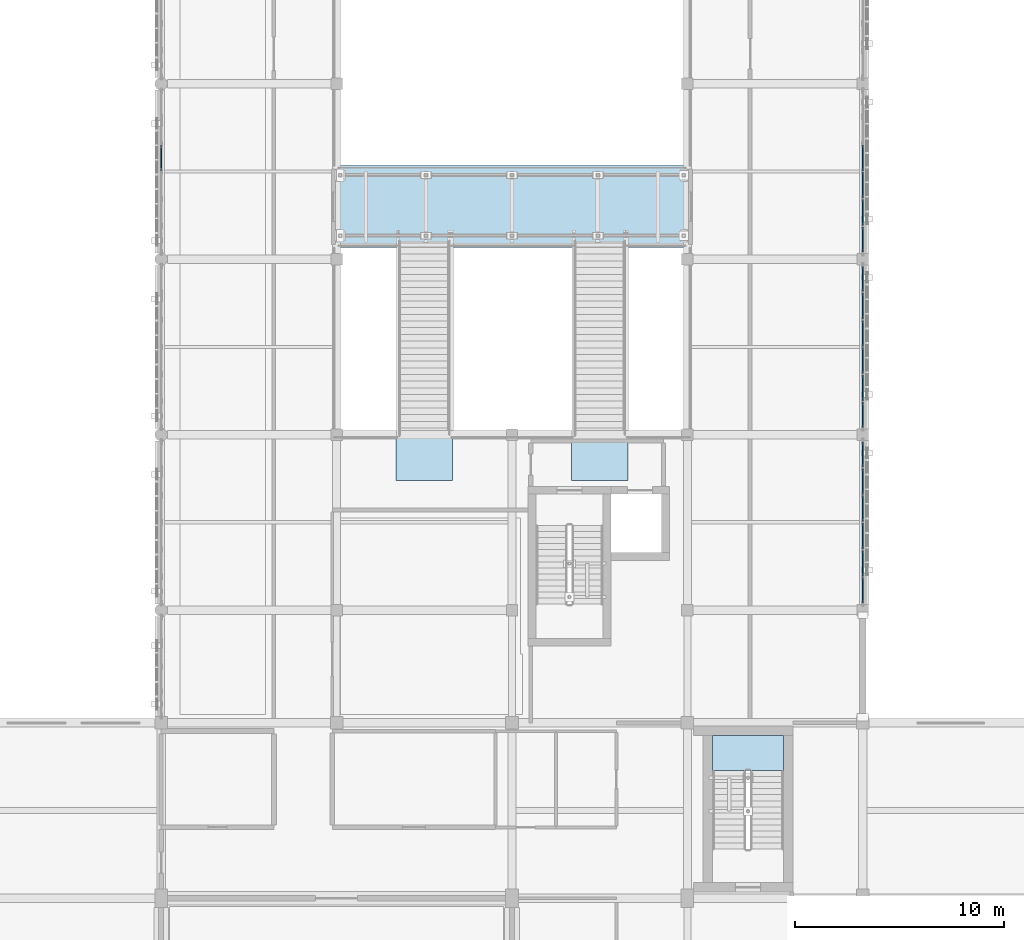
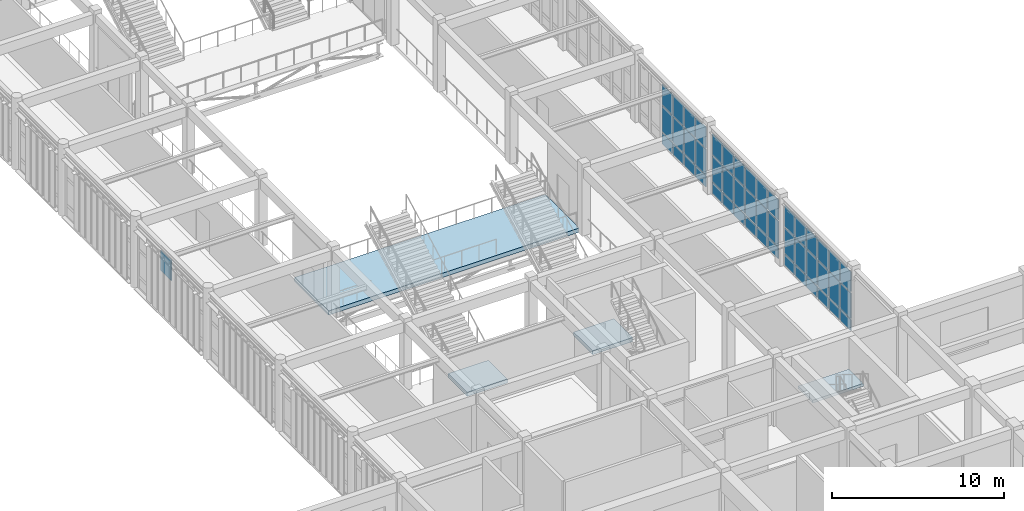
# One storey, part 56 of 93: 49 plates, 4 slabs, 5 elements without a shape of their own.
"""IFC4 building model written with IfcOpenShell, lengths in metres."""

from ifc_helpers import new_model, si_unit, direction, frame, origin, origin_2d, place, context, subcontext, project, spatial, polyline, rectangle, outline, extrude, material, layer, layer_set, type_object, element, aggregate, save


model = new_model("IFC4")

# Units and contexts
model_context = context("Model", 3, precision=1e-05, world=origin(), true_north=direction((0.0, 1.0)))
body_context = subcontext(model_context, "Body", "Model", "MODEL_VIEW")
ifc_project = project(units=[si_unit("LENGTHUNIT", "METRE"), si_unit("AREAUNIT", "SQUARE_METRE"), si_unit("VOLUMEUNIT", "CUBIC_METRE"), si_unit("PLANEANGLEUNIT", "RADIAN"), si_unit("MASSUNIT", "GRAM", prefix="KILO")], contexts=[model_context])

# Site, building, storey
site_placement = place(None, origin())
site = spatial("IfcSite", under=ifc_project, at=site_placement, CompositionType="ELEMENT")
building_placement = place(site_placement, origin())
building = spatial("IfcBuilding", under=site, at=building_placement, Name="Krzemoval Escarpment Law Courts", CompositionType="ELEMENT")
storey_placement = place(building_placement, frame((0.0, 0.0, 10.199951171875)))
storey = spatial("IfcBuildingStorey", under=building, at=storey_placement, Name="L02", CompositionType="ELEMENT", Elevation=10.199951171875)

# Curtain wall, plate
ifc_material_1 = material(Name="Aluminium 6063-T6", Category="aluminium")
ifc_layer_1 = layer(ifc_material_1, 0.280029296875)
ifc_layer_set_1 = layer_set([ifc_layer_1], Name="Aluminium 6063-T6")
curtain_wall_type = type_object("IfcCurtainWallType", Name="CW-HALL-5100", PredefinedType="USERDEFINED", material=ifc_layer_set_1)
curtain_wall_1_placement = place(storey_placement, origin())
curtain_wall_1 = element("IfcCurtainWall", 1, at=curtain_wall_1_placement, inside=storey, type_object=curtain_wall_type, Name="Unitised Curtain Wall FCW-L02-067", ObjectType="UNITISED_CURTAIN_WALL", PredefinedType="USERDEFINED")
ifc_material_2 = material(Name="Triple Glazing IGU", Category="glass")
ifc_layer_2 = layer(ifc_material_2, 0.053955078125)
ifc_layer_set_2 = layer_set([ifc_layer_2], Name="Triple Glazing IGU")
plate_type = type_object("IfcPlateType", Name="CWP-GLZ-54", PredefinedType="CURTAIN_PANEL", material=ifc_layer_set_2)
plate_1_placement = place(storey_placement, frame((8.39990234375, 62.449951171875, 2.842529296875), z_axis=(0.0, 0.0, 1.0), x_axis=(0.0, 1.0, 0.0)))
plate_1 = element("IfcPlate", 2, at=plate_1_placement, type_object=plate_type, Name="FCW-L02-067 panel 4.3", PredefinedType="CURTAIN_PANEL", context=body_context, shape_type="SweptSolid", body=[
    extrude(rectangle(XDim=1.215087890625, YDim=0.053955078125, at=origin_2d()), origin(), (0.0, 0.0, 1.0), 1.4423828125),
])
aggregate(curtain_wall_1, [plate_1])

# Curtain wall, plates
curtain_wall_2_placement = place(storey_placement, origin())
curtain_wall_2 = element("IfcCurtainWall", 3, at=curtain_wall_2_placement, inside=storey, type_object=curtain_wall_type, Name="Unitised Curtain Wall FCW-L02-078", ObjectType="UNITISED_CURTAIN_WALL", PredefinedType="USERDEFINED")
plate_2_placement = place(storey_placement, frame((42.0, 62.4541015625, 0.0849609375), z_axis=(0.0, 0.0, 1.0), x_axis=(0.0, -1.0, 0.0)))
plate_2 = element("IfcPlate", 4, at=plate_2_placement, type_object=plate_type, Name="FCW-L02-078 panel 3.1", PredefinedType="CURTAIN_PANEL", context=body_context, shape_type="SweptSolid", body=[
    extrude(rectangle(XDim=1.223388671875, YDim=0.053955078125, at=origin_2d()), origin(), (0.0, 0.0, 1.0), 0.7724609375),
])
plate_3_placement = place(storey_placement, frame((42.0, 62.4541015625, 0.942626953125), z_axis=(0.0, 0.0, 1.0), x_axis=(0.0, -1.0, 0.0)))
plate_3 = element("IfcPlate", 5, at=plate_3_placement, type_object=plate_type, Name="FCW-L02-078 panel 3.2", PredefinedType="CURTAIN_PANEL", context=body_context, shape_type="SweptSolid", body=[
    extrude(rectangle(XDim=1.223388671875, YDim=0.053955078125, at=origin_2d()), origin(), (0.0, 0.0, 1.0), 1.81494140625),
])
plate_4_placement = place(storey_placement, frame((42.0, 62.4541015625, 2.842529296875), z_axis=(0.0, 0.0, 1.0), x_axis=(0.0, -1.0, 0.0)))
plate_4 = element("IfcPlate", 6, at=plate_4_placement, type_object=plate_type, Name="FCW-L02-078 panel 3.3", PredefinedType="CURTAIN_PANEL", context=body_context, shape_type="SweptSolid", body=[
    extrude(rectangle(XDim=1.223388671875, YDim=0.053955078125, at=origin_2d()), origin(), (0.0, 0.0, 1.0), 1.4423828125),
])
plate_5_placement = place(storey_placement, frame((42.0, 61.145751953125, 0.0849609375), z_axis=(0.0, 0.0, 1.0), x_axis=(0.0, -1.0, 0.0)))
plate_5 = element("IfcPlate", 7, at=plate_5_placement, type_object=plate_type, Name="FCW-L02-078 panel 4.1", PredefinedType="CURTAIN_PANEL", context=body_context, shape_type="SweptSolid", body=[
    extrude(rectangle(XDim=1.223388671875, YDim=0.053955078125, at=origin_2d()), origin(), (0.0, 0.0, 1.0), 0.7724609375),
])
plate_6_placement = place(storey_placement, frame((42.0, 61.145751953125, 0.942626953125), z_axis=(0.0, 0.0, 1.0), x_axis=(0.0, -1.0, 0.0)))
plate_6 = element("IfcPlate", 8, at=plate_6_placement, type_object=plate_type, Name="FCW-L02-078 panel 4.2", PredefinedType="CURTAIN_PANEL", context=body_context, shape_type="SweptSolid", body=[
    extrude(rectangle(XDim=1.223388671875, YDim=0.053955078125, at=origin_2d()), origin(), (0.0, 0.0, 1.0), 1.81494140625),
])
plate_7_placement = place(storey_placement, frame((42.0, 61.145751953125, 2.842529296875), z_axis=(0.0, 0.0, 1.0), x_axis=(0.0, -1.0, 0.0)))
plate_7 = element("IfcPlate", 9, at=plate_7_placement, type_object=plate_type, Name="FCW-L02-078 panel 4.3", PredefinedType="CURTAIN_PANEL", context=body_context, shape_type="SweptSolid", body=[
    extrude(rectangle(XDim=1.223388671875, YDim=0.053955078125, at=origin_2d()), origin(), (0.0, 0.0, 1.0), 1.4423828125),
])
plate_8_placement = place(storey_placement, frame((42.0, 59.83740234375, 0.0849609375), z_axis=(0.0, 0.0, 1.0), x_axis=(0.0, -1.0, 0.0)))
plate_8 = element("IfcPlate", 10, at=plate_8_placement, type_object=plate_type, Name="FCW-L02-078 panel 5.1", PredefinedType="CURTAIN_PANEL", context=body_context, shape_type="SweptSolid", body=[
    extrude(rectangle(XDim=1.223388671875, YDim=0.053955078125, at=origin_2d()), origin(), (0.0, 0.0, 1.0), 0.7724609375),
])
plate_9_placement = place(storey_placement, frame((42.0, 59.83740234375, 0.942626953125), z_axis=(0.0, 0.0, 1.0), x_axis=(0.0, -1.0, 0.0)))
plate_9 = element("IfcPlate", 11, at=plate_9_placement, type_object=plate_type, Name="FCW-L02-078 panel 5.2", PredefinedType="CURTAIN_PANEL", context=body_context, shape_type="SweptSolid", body=[
    extrude(rectangle(XDim=1.223388671875, YDim=0.053955078125, at=origin_2d()), origin(), (0.0, 0.0, 1.0), 1.81494140625),
])
plate_10_placement = place(storey_placement, frame((42.0, 59.83740234375, 2.842529296875), z_axis=(0.0, 0.0, 1.0), x_axis=(0.0, -1.0, 0.0)))
plate_10 = element("IfcPlate", 12, at=plate_10_placement, type_object=plate_type, Name="FCW-L02-078 panel 5.3", PredefinedType="CURTAIN_PANEL", context=body_context, shape_type="SweptSolid", body=[
    extrude(rectangle(XDim=1.223388671875, YDim=0.053955078125, at=origin_2d()), origin(), (0.0, 0.0, 1.0), 1.4423828125),
])
plate_11_placement = place(storey_placement, frame((42.0, 58.550537109375, 0.0849609375), z_axis=(0.0, 0.0, 1.0), x_axis=(0.0, -1.0, 0.0)))
plate_11 = element("IfcPlate", 13, at=plate_11_placement, type_object=plate_type, Name="FCW-L02-078 panel 6.1", PredefinedType="CURTAIN_PANEL", context=body_context, shape_type="SweptSolid", body=[
    extrude(rectangle(XDim=1.180908203125, YDim=0.053955078125, at=origin_2d()), origin(), (0.0, 0.0, 1.0), 0.7724609375),
])
plate_12_placement = place(storey_placement, frame((42.0, 58.550537109375, 0.942626953125), z_axis=(0.0, 0.0, 1.0), x_axis=(0.0, -1.0, 0.0)))
plate_12 = element("IfcPlate", 14, at=plate_12_placement, type_object=plate_type, Name="FCW-L02-078 panel 6.2", PredefinedType="CURTAIN_PANEL", context=body_context, shape_type="SweptSolid", body=[
    extrude(rectangle(XDim=1.180908203125, YDim=0.053955078125, at=origin_2d()), origin(), (0.0, 0.0, 1.0), 1.81494140625),
])
plate_13_placement = place(storey_placement, frame((42.0, 58.550537109375, 2.842529296875), z_axis=(0.0, 0.0, 1.0), x_axis=(0.0, -1.0, 0.0)))
plate_13 = element("IfcPlate", 15, at=plate_13_placement, type_object=plate_type, Name="FCW-L02-078 panel 6.3", PredefinedType="CURTAIN_PANEL", context=body_context, shape_type="SweptSolid", body=[
    extrude(rectangle(XDim=1.180908203125, YDim=0.053955078125, at=origin_2d()), origin(), (0.0, 0.0, 1.0), 1.4423828125),
])
aggregate(curtain_wall_2, [plate_2, plate_3, plate_4, plate_5, plate_6, plate_7, plate_8, plate_9, plate_10, plate_11, plate_12, plate_13])

curtain_wall_3_placement = place(storey_placement, origin())
curtain_wall_3 = element("IfcCurtainWall", 16, at=curtain_wall_3_placement, inside=storey, type_object=curtain_wall_type, Name="Unitised Curtain Wall FCW-L02-079", ObjectType="UNITISED_CURTAIN_WALL", PredefinedType="USERDEFINED")
plate_14_placement = place(storey_placement, frame((42.0, 56.649658203125, 0.0849609375), z_axis=(0.0, 0.0, 1.0), x_axis=(0.0, -1.0, 0.0)))
plate_14 = element("IfcPlate", 17, at=plate_14_placement, type_object=plate_type, Name="FCW-L02-079 panel 1.1", PredefinedType="CURTAIN_PANEL", context=body_context, shape_type="SweptSolid", body=[
    extrude(rectangle(XDim=1.180908203125, YDim=0.053955078125, at=origin_2d()), origin(), (0.0, 0.0, 1.0), 0.7724609375),
])
plate_15_placement = place(storey_placement, frame((42.0, 56.649658203125, 0.942626953125), z_axis=(0.0, 0.0, 1.0), x_axis=(0.0, -1.0, 0.0)))
plate_15 = element("IfcPlate", 18, at=plate_15_placement, type_object=plate_type, Name="FCW-L02-079 panel 1.2", PredefinedType="CURTAIN_PANEL", context=body_context, shape_type="SweptSolid", body=[
    extrude(rectangle(XDim=1.180908203125, YDim=0.053955078125, at=origin_2d()), origin(), (0.0, 0.0, 1.0), 1.81494140625),
])
plate_16_placement = place(storey_placement, frame((42.0, 56.649658203125, 2.842529296875), z_axis=(0.0, 0.0, 1.0), x_axis=(0.0, -1.0, 0.0)))
plate_16 = element("IfcPlate", 19, at=plate_16_placement, type_object=plate_type, Name="FCW-L02-079 panel 1.3", PredefinedType="CURTAIN_PANEL", context=body_context, shape_type="SweptSolid", body=[
    extrude(rectangle(XDim=1.180908203125, YDim=0.053955078125, at=origin_2d()), origin(), (0.0, 0.0, 1.0), 1.4423828125),
])
plate_17_placement = place(storey_placement, frame((42.0, 55.362548828125, 0.0849609375), z_axis=(0.0, 0.0, 1.0), x_axis=(0.0, -1.0, 0.0)))
plate_17 = element("IfcPlate", 20, at=plate_17_placement, type_object=plate_type, Name="FCW-L02-079 panel 2.1", PredefinedType="CURTAIN_PANEL", context=body_context, shape_type="SweptSolid", body=[
    extrude(rectangle(XDim=1.223388671875, YDim=0.053955078125, at=origin_2d()), origin(), (0.0, 0.0, 1.0), 0.7724609375),
])
plate_18_placement = place(storey_placement, frame((42.0, 55.362548828125, 0.942626953125), z_axis=(0.0, 0.0, 1.0), x_axis=(0.0, -1.0, 0.0)))
plate_18 = element("IfcPlate", 21, at=plate_18_placement, type_object=plate_type, Name="FCW-L02-079 panel 2.2", PredefinedType="CURTAIN_PANEL", context=body_context, shape_type="SweptSolid", body=[
    extrude(rectangle(XDim=1.223388671875, YDim=0.053955078125, at=origin_2d()), origin(), (0.0, 0.0, 1.0), 1.81494140625),
])
plate_19_placement = place(storey_placement, frame((42.0, 55.362548828125, 2.842529296875), z_axis=(0.0, 0.0, 1.0), x_axis=(0.0, -1.0, 0.0)))
plate_19 = element("IfcPlate", 22, at=plate_19_placement, type_object=plate_type, Name="FCW-L02-079 panel 2.3", PredefinedType="CURTAIN_PANEL", context=body_context, shape_type="SweptSolid", body=[
    extrude(rectangle(XDim=1.223388671875, YDim=0.053955078125, at=origin_2d()), origin(), (0.0, 0.0, 1.0), 1.4423828125),
])
plate_20_placement = place(storey_placement, frame((42.0, 54.05419921875, 0.0849609375), z_axis=(0.0, 0.0, 1.0), x_axis=(0.0, -1.0, 0.0)))
plate_20 = element("IfcPlate", 23, at=plate_20_placement, type_object=plate_type, Name="FCW-L02-079 panel 3.1", PredefinedType="CURTAIN_PANEL", context=body_context, shape_type="SweptSolid", body=[
    extrude(rectangle(XDim=1.223388671875, YDim=0.053955078125, at=origin_2d()), origin(), (0.0, 0.0, 1.0), 0.7724609375),
])
plate_21_placement = place(storey_placement, frame((42.0, 54.05419921875, 0.942626953125), z_axis=(0.0, 0.0, 1.0), x_axis=(0.0, -1.0, 0.0)))
plate_21 = element("IfcPlate", 24, at=plate_21_placement, type_object=plate_type, Name="FCW-L02-079 panel 3.2", PredefinedType="CURTAIN_PANEL", context=body_context, shape_type="SweptSolid", body=[
    extrude(rectangle(XDim=1.223388671875, YDim=0.053955078125, at=origin_2d()), origin(), (0.0, 0.0, 1.0), 1.81494140625),
])
plate_22_placement = place(storey_placement, frame((42.0, 54.05419921875, 2.842529296875), z_axis=(0.0, 0.0, 1.0), x_axis=(0.0, -1.0, 0.0)))
plate_22 = element("IfcPlate", 25, at=plate_22_placement, type_object=plate_type, Name="FCW-L02-079 panel 3.3", PredefinedType="CURTAIN_PANEL", context=body_context, shape_type="SweptSolid", body=[
    extrude(rectangle(XDim=1.223388671875, YDim=0.053955078125, at=origin_2d()), origin(), (0.0, 0.0, 1.0), 1.4423828125),
])
plate_23_placement = place(storey_placement, frame((42.0, 52.745849609375, 0.0849609375), z_axis=(0.0, 0.0, 1.0), x_axis=(0.0, -1.0, 0.0)))
plate_23 = element("IfcPlate", 26, at=plate_23_placement, type_object=plate_type, Name="FCW-L02-079 panel 4.1", PredefinedType="CURTAIN_PANEL", context=body_context, shape_type="SweptSolid", body=[
    extrude(rectangle(XDim=1.223388671875, YDim=0.053955078125, at=origin_2d()), origin(), (0.0, 0.0, 1.0), 0.7724609375),
])
plate_24_placement = place(storey_placement, frame((42.0, 52.745849609375, 0.942626953125), z_axis=(0.0, 0.0, 1.0), x_axis=(0.0, -1.0, 0.0)))
plate_24 = element("IfcPlate", 27, at=plate_24_placement, type_object=plate_type, Name="FCW-L02-079 panel 4.2", PredefinedType="CURTAIN_PANEL", context=body_context, shape_type="SweptSolid", body=[
    extrude(rectangle(XDim=1.223388671875, YDim=0.053955078125, at=origin_2d()), origin(), (0.0, 0.0, 1.0), 1.81494140625),
])
plate_25_placement = place(storey_placement, frame((42.0, 52.745849609375, 2.842529296875), z_axis=(0.0, 0.0, 1.0), x_axis=(0.0, -1.0, 0.0)))
plate_25 = element("IfcPlate", 28, at=plate_25_placement, type_object=plate_type, Name="FCW-L02-079 panel 4.3", PredefinedType="CURTAIN_PANEL", context=body_context, shape_type="SweptSolid", body=[
    extrude(rectangle(XDim=1.223388671875, YDim=0.053955078125, at=origin_2d()), origin(), (0.0, 0.0, 1.0), 1.4423828125),
])
plate_26_placement = place(storey_placement, frame((42.0, 51.4375, 0.0849609375), z_axis=(0.0, 0.0, 1.0), x_axis=(0.0, -1.0, 0.0)))
plate_26 = element("IfcPlate", 29, at=plate_26_placement, type_object=plate_type, Name="FCW-L02-079 panel 5.1", PredefinedType="CURTAIN_PANEL", context=body_context, shape_type="SweptSolid", body=[
    extrude(rectangle(XDim=1.223388671875, YDim=0.053955078125, at=origin_2d()), origin(), (0.0, 0.0, 1.0), 0.7724609375),
])
plate_27_placement = place(storey_placement, frame((42.0, 51.4375, 0.942626953125), z_axis=(0.0, 0.0, 1.0), x_axis=(0.0, -1.0, 0.0)))
plate_27 = element("IfcPlate", 30, at=plate_27_placement, type_object=plate_type, Name="FCW-L02-079 panel 5.2", PredefinedType="CURTAIN_PANEL", context=body_context, shape_type="SweptSolid", body=[
    extrude(rectangle(XDim=1.223388671875, YDim=0.053955078125, at=origin_2d()), origin(), (0.0, 0.0, 1.0), 1.81494140625),
])
plate_28_placement = place(storey_placement, frame((42.0, 51.4375, 2.842529296875), z_axis=(0.0, 0.0, 1.0), x_axis=(0.0, -1.0, 0.0)))
plate_28 = element("IfcPlate", 31, at=plate_28_placement, type_object=plate_type, Name="FCW-L02-079 panel 5.3", PredefinedType="CURTAIN_PANEL", context=body_context, shape_type="SweptSolid", body=[
    extrude(rectangle(XDim=1.223388671875, YDim=0.053955078125, at=origin_2d()), origin(), (0.0, 0.0, 1.0), 1.4423828125),
])
plate_29_placement = place(storey_placement, frame((42.0, 50.150390625, 0.0849609375), z_axis=(0.0, 0.0, 1.0), x_axis=(0.0, -1.0, 0.0)))
plate_29 = element("IfcPlate", 32, at=plate_29_placement, type_object=plate_type, Name="FCW-L02-079 panel 6.1", PredefinedType="CURTAIN_PANEL", context=body_context, shape_type="SweptSolid", body=[
    extrude(rectangle(XDim=1.180908203125, YDim=0.053955078125, at=origin_2d()), origin(), (0.0, 0.0, 1.0), 0.7724609375),
])
plate_30_placement = place(storey_placement, frame((42.0, 50.150390625, 0.942626953125), z_axis=(0.0, 0.0, 1.0), x_axis=(0.0, -1.0, 0.0)))
plate_30 = element("IfcPlate", 33, at=plate_30_placement, type_object=plate_type, Name="FCW-L02-079 panel 6.2", PredefinedType="CURTAIN_PANEL", context=body_context, shape_type="SweptSolid", body=[
    extrude(rectangle(XDim=1.180908203125, YDim=0.053955078125, at=origin_2d()), origin(), (0.0, 0.0, 1.0), 1.81494140625),
])
plate_31_placement = place(storey_placement, frame((42.0, 50.150390625, 2.842529296875), z_axis=(0.0, 0.0, 1.0), x_axis=(0.0, -1.0, 0.0)))
plate_31 = element("IfcPlate", 34, at=plate_31_placement, type_object=plate_type, Name="FCW-L02-079 panel 6.3", PredefinedType="CURTAIN_PANEL", context=body_context, shape_type="SweptSolid", body=[
    extrude(rectangle(XDim=1.180908203125, YDim=0.053955078125, at=origin_2d()), origin(), (0.0, 0.0, 1.0), 1.4423828125),
])
aggregate(curtain_wall_3, [plate_14, plate_15, plate_16, plate_17, plate_18, plate_19, plate_20, plate_21, plate_22, plate_23, plate_24, plate_25, plate_26, plate_27, plate_28, plate_29, plate_30, plate_31])

curtain_wall_4_placement = place(storey_placement, origin())
curtain_wall_4 = element("IfcCurtainWall", 35, at=curtain_wall_4_placement, inside=storey, type_object=curtain_wall_type, Name="Unitised Curtain Wall FCW-L02-080", ObjectType="UNITISED_CURTAIN_WALL", PredefinedType="USERDEFINED")
plate_32_placement = place(storey_placement, frame((42.0, 48.24951171875, 0.0849609375), z_axis=(0.0, 0.0, 1.0), x_axis=(0.0, -1.0, 0.0)))
plate_32 = element("IfcPlate", 36, at=plate_32_placement, type_object=plate_type, Name="FCW-L02-080 panel 1.1", PredefinedType="CURTAIN_PANEL", context=body_context, shape_type="SweptSolid", body=[
    extrude(rectangle(XDim=1.180908203125, YDim=0.053955078125, at=origin_2d()), origin(), (0.0, 0.0, 1.0), 0.7724609375),
])
plate_33_placement = place(storey_placement, frame((42.0, 48.24951171875, 0.942626953125), z_axis=(0.0, 0.0, 1.0), x_axis=(0.0, -1.0, 0.0)))
plate_33 = element("IfcPlate", 37, at=plate_33_placement, type_object=plate_type, Name="FCW-L02-080 panel 1.2", PredefinedType="CURTAIN_PANEL", context=body_context, shape_type="SweptSolid", body=[
    extrude(rectangle(XDim=1.180908203125, YDim=0.053955078125, at=origin_2d()), origin(), (0.0, 0.0, 1.0), 1.81494140625),
])
plate_34_placement = place(storey_placement, frame((42.0, 48.24951171875, 2.842529296875), z_axis=(0.0, 0.0, 1.0), x_axis=(0.0, -1.0, 0.0)))
plate_34 = element("IfcPlate", 38, at=plate_34_placement, type_object=plate_type, Name="FCW-L02-080 panel 1.3", PredefinedType="CURTAIN_PANEL", context=body_context, shape_type="SweptSolid", body=[
    extrude(rectangle(XDim=1.180908203125, YDim=0.053955078125, at=origin_2d()), origin(), (0.0, 0.0, 1.0), 1.4423828125),
])
plate_35_placement = place(storey_placement, frame((42.0, 46.96240234375, 0.0849609375), z_axis=(0.0, 0.0, 1.0), x_axis=(0.0, -1.0, 0.0)))
plate_35 = element("IfcPlate", 39, at=plate_35_placement, type_object=plate_type, Name="FCW-L02-080 panel 2.1", PredefinedType="CURTAIN_PANEL", context=body_context, shape_type="SweptSolid", body=[
    extrude(rectangle(XDim=1.223388671875, YDim=0.053955078125, at=origin_2d()), origin(), (0.0, 0.0, 1.0), 0.7724609375),
])
plate_36_placement = place(storey_placement, frame((42.0, 46.96240234375, 0.942626953125), z_axis=(0.0, 0.0, 1.0), x_axis=(0.0, -1.0, 0.0)))
plate_36 = element("IfcPlate", 40, at=plate_36_placement, type_object=plate_type, Name="FCW-L02-080 panel 2.2", PredefinedType="CURTAIN_PANEL", context=body_context, shape_type="SweptSolid", body=[
    extrude(rectangle(XDim=1.223388671875, YDim=0.053955078125, at=origin_2d()), origin(), (0.0, 0.0, 1.0), 1.81494140625),
])
plate_37_placement = place(storey_placement, frame((42.0, 46.96240234375, 2.842529296875), z_axis=(0.0, 0.0, 1.0), x_axis=(0.0, -1.0, 0.0)))
plate_37 = element("IfcPlate", 41, at=plate_37_placement, type_object=plate_type, Name="FCW-L02-080 panel 2.3", PredefinedType="CURTAIN_PANEL", context=body_context, shape_type="SweptSolid", body=[
    extrude(rectangle(XDim=1.223388671875, YDim=0.053955078125, at=origin_2d()), origin(), (0.0, 0.0, 1.0), 1.4423828125),
])
plate_38_placement = place(storey_placement, frame((42.0, 45.654052734375, 0.0849609375), z_axis=(0.0, 0.0, 1.0), x_axis=(0.0, -1.0, 0.0)))
plate_38 = element("IfcPlate", 42, at=plate_38_placement, type_object=plate_type, Name="FCW-L02-080 panel 3.1", PredefinedType="CURTAIN_PANEL", context=body_context, shape_type="SweptSolid", body=[
    extrude(rectangle(XDim=1.223388671875, YDim=0.053955078125, at=origin_2d()), origin(), (0.0, 0.0, 1.0), 0.7724609375),
])
plate_39_placement = place(storey_placement, frame((42.0, 45.654052734375, 0.942626953125), z_axis=(0.0, 0.0, 1.0), x_axis=(0.0, -1.0, 0.0)))
plate_39 = element("IfcPlate", 43, at=plate_39_placement, type_object=plate_type, Name="FCW-L02-080 panel 3.2", PredefinedType="CURTAIN_PANEL", context=body_context, shape_type="SweptSolid", body=[
    extrude(rectangle(XDim=1.223388671875, YDim=0.053955078125, at=origin_2d()), origin(), (0.0, 0.0, 1.0), 1.81494140625),
])
plate_40_placement = place(storey_placement, frame((42.0, 45.654052734375, 2.842529296875), z_axis=(0.0, 0.0, 1.0), x_axis=(0.0, -1.0, 0.0)))
plate_40 = element("IfcPlate", 44, at=plate_40_placement, type_object=plate_type, Name="FCW-L02-080 panel 3.3", PredefinedType="CURTAIN_PANEL", context=body_context, shape_type="SweptSolid", body=[
    extrude(rectangle(XDim=1.223388671875, YDim=0.053955078125, at=origin_2d()), origin(), (0.0, 0.0, 1.0), 1.4423828125),
])
plate_41_placement = place(storey_placement, frame((42.0, 44.345947265625, 0.0849609375), z_axis=(0.0, 0.0, 1.0), x_axis=(0.0, -1.0, 0.0)))
plate_41 = element("IfcPlate", 45, at=plate_41_placement, type_object=plate_type, Name="FCW-L02-080 panel 4.1", PredefinedType="CURTAIN_PANEL", context=body_context, shape_type="SweptSolid", body=[
    extrude(rectangle(XDim=1.223388671875, YDim=0.053955078125, at=origin_2d()), origin(), (0.0, 0.0, 1.0), 0.7724609375),
])
plate_42_placement = place(storey_placement, frame((42.0, 44.345947265625, 0.942626953125), z_axis=(0.0, 0.0, 1.0), x_axis=(0.0, -1.0, 0.0)))
plate_42 = element("IfcPlate", 46, at=plate_42_placement, type_object=plate_type, Name="FCW-L02-080 panel 4.2", PredefinedType="CURTAIN_PANEL", context=body_context, shape_type="SweptSolid", body=[
    extrude(rectangle(XDim=1.223388671875, YDim=0.053955078125, at=origin_2d()), origin(), (0.0, 0.0, 1.0), 1.81494140625),
])
plate_43_placement = place(storey_placement, frame((42.0, 44.345947265625, 2.842529296875), z_axis=(0.0, 0.0, 1.0), x_axis=(0.0, -1.0, 0.0)))
plate_43 = element("IfcPlate", 47, at=plate_43_placement, type_object=plate_type, Name="FCW-L02-080 panel 4.3", PredefinedType="CURTAIN_PANEL", context=body_context, shape_type="SweptSolid", body=[
    extrude(rectangle(XDim=1.223388671875, YDim=0.053955078125, at=origin_2d()), origin(), (0.0, 0.0, 1.0), 1.4423828125),
])
plate_44_placement = place(storey_placement, frame((42.0, 43.03759765625, 0.0849609375), z_axis=(0.0, 0.0, 1.0), x_axis=(0.0, -1.0, 0.0)))
plate_44 = element("IfcPlate", 48, at=plate_44_placement, type_object=plate_type, Name="FCW-L02-080 panel 5.1", PredefinedType="CURTAIN_PANEL", context=body_context, shape_type="SweptSolid", body=[
    extrude(rectangle(XDim=1.223388671875, YDim=0.053955078125, at=origin_2d()), origin(), (0.0, 0.0, 1.0), 0.7724609375),
])
plate_45_placement = place(storey_placement, frame((42.0, 43.03759765625, 0.942626953125), z_axis=(0.0, 0.0, 1.0), x_axis=(0.0, -1.0, 0.0)))
plate_45 = element("IfcPlate", 49, at=plate_45_placement, type_object=plate_type, Name="FCW-L02-080 panel 5.2", PredefinedType="CURTAIN_PANEL", context=body_context, shape_type="SweptSolid", body=[
    extrude(rectangle(XDim=1.223388671875, YDim=0.053955078125, at=origin_2d()), origin(), (0.0, 0.0, 1.0), 1.81494140625),
])
plate_46_placement = place(storey_placement, frame((42.0, 43.03759765625, 2.842529296875), z_axis=(0.0, 0.0, 1.0), x_axis=(0.0, -1.0, 0.0)))
plate_46 = element("IfcPlate", 50, at=plate_46_placement, type_object=plate_type, Name="FCW-L02-080 panel 5.3", PredefinedType="CURTAIN_PANEL", context=body_context, shape_type="SweptSolid", body=[
    extrude(rectangle(XDim=1.223388671875, YDim=0.053955078125, at=origin_2d()), origin(), (0.0, 0.0, 1.0), 1.4423828125),
])
plate_47_placement = place(storey_placement, frame((42.0, 41.75048828125, 0.0849609375), z_axis=(0.0, 0.0, 1.0), x_axis=(0.0, -1.0, 0.0)))
plate_47 = element("IfcPlate", 51, at=plate_47_placement, type_object=plate_type, Name="FCW-L02-080 panel 6.1", PredefinedType="CURTAIN_PANEL", context=body_context, shape_type="SweptSolid", body=[
    extrude(rectangle(XDim=1.180908203125, YDim=0.053955078125, at=origin_2d()), origin(), (0.0, 0.0, 1.0), 0.7724609375),
])
plate_48_placement = place(storey_placement, frame((42.0, 41.75048828125, 0.942626953125), z_axis=(0.0, 0.0, 1.0), x_axis=(0.0, -1.0, 0.0)))
plate_48 = element("IfcPlate", 52, at=plate_48_placement, type_object=plate_type, Name="FCW-L02-080 panel 6.2", PredefinedType="CURTAIN_PANEL", context=body_context, shape_type="SweptSolid", body=[
    extrude(rectangle(XDim=1.180908203125, YDim=0.053955078125, at=origin_2d()), origin(), (0.0, 0.0, 1.0), 1.81494140625),
])
plate_49_placement = place(storey_placement, frame((42.0, 41.75048828125, 2.842529296875), z_axis=(0.0, 0.0, 1.0), x_axis=(0.0, -1.0, 0.0)))
plate_49 = element("IfcPlate", 53, at=plate_49_placement, type_object=plate_type, Name="FCW-L02-080 panel 6.3", PredefinedType="CURTAIN_PANEL", context=body_context, shape_type="SweptSolid", body=[
    extrude(rectangle(XDim=1.180908203125, YDim=0.053955078125, at=origin_2d()), origin(), (0.0, 0.0, 1.0), 1.4423828125),
])
aggregate(curtain_wall_4, [plate_32, plate_33, plate_34, plate_35, plate_36, plate_37, plate_38, plate_39, plate_40, plate_41, plate_42, plate_43, plate_44, plate_45, plate_46, plate_47, plate_48, plate_49])

# Slab
ifc_material_3 = material(Name="Concrete C40/50", Category="concrete")
ifc_layer_3 = layer(ifc_material_3, 0.300048828125)
ifc_layer_set_3 = layer_set([ifc_layer_3], Name="Concrete C40/50")
slab_type_1 = type_object("IfcSlabType", Name="SL-FLR-300", PredefinedType="FLOOR", material=ifc_layer_set_3)
slab_1_placement = place(storey_placement, frame((0.0, 0.0, -0.300048828125)))
element("IfcSlab", 54, at=slab_1_placement, inside=storey, type_object=slab_type_1, Name="Atrium Bridge Deck BRG-L02-1", PredefinedType="FLOOR", context=body_context, shape_type="SweptSolid", body=[
    extrude(outline(polyline([(33.60009765625, 58.14990234375), (33.60009765625, 62.080078125), (16.800048828125, 62.080078125), (16.800048828125, 58.14990234375), (33.60009765625, 58.14990234375)])), origin(), (0.0, 0.0, 1.0), 0.300048828125),
])

# Stair, slab
ifc_material_4 = material(Name="Concrete C40/50", Category="concrete")
stair_type = type_object("IfcStairType", Name="STR-CORE-1600", PredefinedType="HALF_TURN_STAIR", material=ifc_material_4)
stair_placement = place(storey_placement, origin())
stair = element("IfcStair", 55, at=stair_placement, inside=storey, type_object=stair_type, Name="L02 ST9", PredefinedType="HALF_TURN_STAIR")
ifc_material_5 = material(Name="Concrete C40/50", Category="concrete")
ifc_layer_4 = layer(ifc_material_5, 0.199951171875)
ifc_layer_set_4 = layer_set([ifc_layer_4], Name="Concrete C40/50")
slab_type_2 = type_object("IfcSlabType", Name="SL-LND-200", PredefinedType="LANDING", material=ifc_layer_set_4)
slab_2_placement = place(storey_placement, frame((0.0, 0.0, 2.35009765625)))
slab_2 = element("IfcSlab", 56, at=slab_2_placement, type_object=slab_type_2, Name="ST9 landing 1", PredefinedType="LANDING", context=body_context, shape_type="SweptSolid", body=[
    extrude(outline(polyline([(38.199951171875, 33.1201171875), (38.199951171875, 34.800048828125), (34.800048828125, 34.800048828125), (34.800048828125, 33.1201171875), (38.199951171875, 33.1201171875)])), origin(), (0.0, 0.0, 1.0), 0.199951171875),
])
aggregate(stair, [slab_2])

# Slabs
ifc_material_6 = material(Name="Concrete C50/60", Category="concrete")
ifc_layer_5 = layer(ifc_material_6, 0.280029296875)
ifc_layer_set_5 = layer_set([ifc_layer_5], Name="Concrete C50/60")
slab_type_3 = type_object("IfcSlabType", Name="SL-PT-280", PredefinedType="FLOOR", material=ifc_layer_set_5)
slab_3_placement = place(storey_placement, frame((0.0, 0.0, -0.280029296875)))
element("IfcSlab", 57, at=slab_3_placement, inside=storey, type_object=slab_type_3, Name="Atrium Stair Threshold Slab SL-ST7-L02-FL", PredefinedType="FLOOR", context=body_context, shape_type="SweptSolid", body=[
    extrude(outline(polyline([(22.35009765625, 47.0), (22.35009765625, 49.199951171875), (19.64990234375, 49.199951171875), (19.64990234375, 47.0), (22.35009765625, 47.0)])), origin(), (0.0, 0.0, 1.0), 0.280029296875),
])
slab_4_placement = place(storey_placement, frame((0.0, 0.0, -0.280029296875)))
element("IfcSlab", 58, at=slab_4_placement, inside=storey, type_object=slab_type_3, Name="Atrium Stair Threshold Slab SL-ST8-L02-FL", PredefinedType="FLOOR", context=body_context, shape_type="SweptSolid", body=[
    extrude(outline(polyline([(30.75, 47.0), (30.75, 49.199951171875), (28.050048828125, 49.199951171875), (28.050048828125, 47.0), (30.75, 47.0)])), origin(), (0.0, 0.0, 1.0), 0.280029296875),
])

save(model, "model.ifc")
